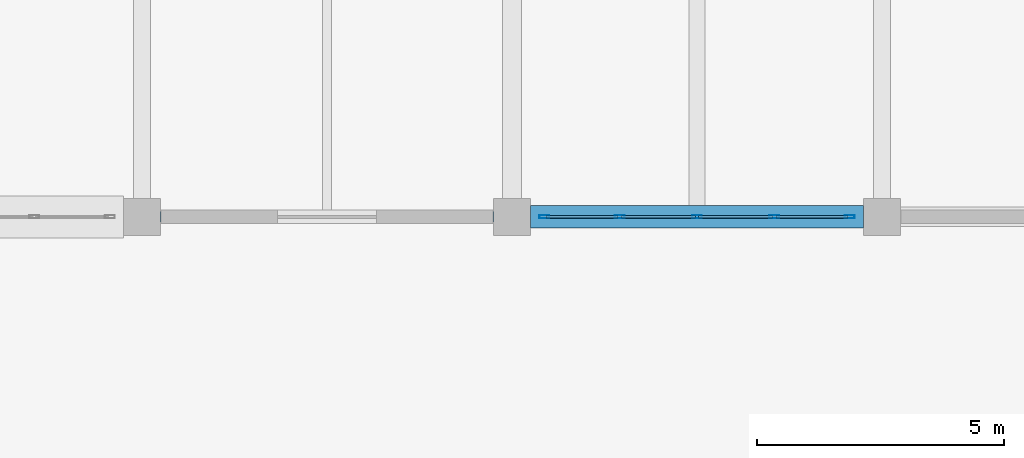
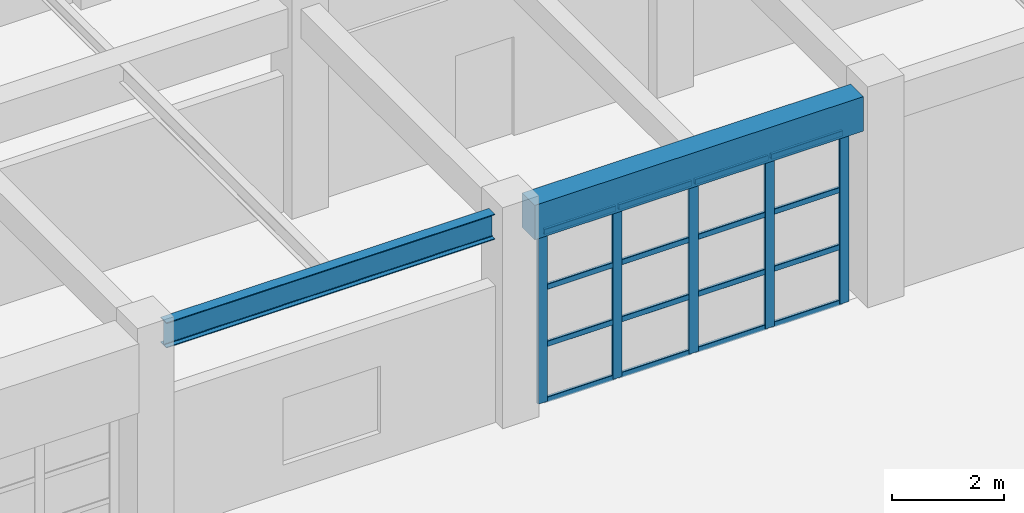
# One storey, part 32 of 122: 21 members, 2 beams, 1 element without a shape of its own.
"""IFC4 building model written with IfcOpenShell, lengths in metres."""

from ifc_helpers import new_model, si_unit, direction, frame, origin, origin_2d, place, context, subcontext, project, spatial, rectangle, hollow_rectangle, i_section, extrude, material, material_profile, profile_set, type_object, element, aggregate, save


model = new_model("IFC4")

# Units and contexts
model_context = context("Model", 3, precision=1e-05, world=origin(), true_north=direction((0.0, 1.0)))
body_context = subcontext(model_context, "Body", "Model", "MODEL_VIEW")
ifc_project = project(units=[si_unit("LENGTHUNIT", "METRE"), si_unit("AREAUNIT", "SQUARE_METRE"), si_unit("VOLUMEUNIT", "CUBIC_METRE"), si_unit("PLANEANGLEUNIT", "RADIAN"), si_unit("MASSUNIT", "GRAM", prefix="KILO")], contexts=[model_context])

# Site, building, storey
site_placement = place(None, origin())
site = spatial("IfcSite", under=ifc_project, at=site_placement, CompositionType="ELEMENT")
building_placement = place(site_placement, origin())
building = spatial("IfcBuilding", under=site, at=building_placement, Name="Qasida Concert Hall", CompositionType="ELEMENT")
storey_placement = place(building_placement, origin())
storey = spatial("IfcBuildingStorey", under=building, at=storey_placement, Name="L00", CompositionType="ELEMENT", Elevation=0.0)

# Beams
ifc_material_1 = material(Name="Steel S355J2", Category="steel")
ifc_material_profile_1 = material_profile(ifc_material_1, i_section(OverallWidth=0.2099609375, OverallDepth=0.550048828125, WebThickness=0.010986328125, FlangeThickness=0.01708984375, FilletRadius=0.02392578125, at=origin_2d()), Name="IPE 550")
ifc_profile_set_1 = profile_set([ifc_material_profile_1], Name="Steel S355J2")
beam_type_1 = type_object("IfcBeamType", Name="BM-SP2", PredefinedType="SPANDREL", material=ifc_profile_set_1)
beam_1_placement = place(storey_placement, frame((15.375, 75.0, 4.22509765625), z_axis=(1.0, 0.0, 0.0), x_axis=(0.0, 1.0, 0.0)))
element("IfcBeam", 1, at=beam_1_placement, inside=storey, type_object=beam_type_1, Name="Primary girder 0689", PredefinedType="SPANDREL", context=body_context, shape_type="SweptSolid", body=[
    extrude(i_section(OverallWidth=0.2099609375, OverallDepth=0.550048828125, WebThickness=0.010986328125, FlangeThickness=0.01708984375, FilletRadius=0.02392578125, at=origin_2d()), origin(), (0.0, 0.0, 1.0), 6.75),
])
ifc_material_2 = material(Name="Concrete C40/50", Category="concrete")
ifc_material_profile_2 = material_profile(ifc_material_2, rectangle(XDim=0.449951171875, YDim=0.75, at=origin_2d()), Name="RC 450x750")
ifc_profile_set_2 = profile_set([ifc_material_profile_2], Name="Concrete C40/50")
beam_type_2 = type_object("IfcBeamType", Name="BM-SP4", PredefinedType="SPANDREL", material=ifc_profile_set_2)
beam_2_placement = place(storey_placement, frame((22.875, 75.0, 4.125), z_axis=(1.0, 0.0, 0.0), x_axis=(0.0, 1.0, 0.0)))
element("IfcBeam", 2, at=beam_2_placement, inside=storey, type_object=beam_type_2, Name="Primary girder 0690", PredefinedType="SPANDREL", context=body_context, shape_type="SweptSolid", body=[
    extrude(rectangle(XDim=0.449951171875, YDim=0.75, at=origin_2d()), origin(), (0.0, 0.0, 1.0), 6.75),
])

# Curtain wall, members
ifc_material_3 = material(Name="Architectural bronze-anodized aluminium and low-E glass", Category="aluminium")
curtain_wall_type = type_object("IfcCurtainWallType", Name="CW-08", PredefinedType="NOTDEFINED", material=ifc_material_3)
curtain_wall_placement = place(storey_placement, origin())
curtain_wall = element("IfcCurtainWall", 3, at=curtain_wall_placement, inside=storey, type_object=curtain_wall_type, Name="L00 curtain wall CW-08 0181", PredefinedType="NOTDEFINED")
ifc_material_4 = material(Name="Architectural bronze-anodized aluminium EN AW-6063", Category="aluminium")
ifc_material_profile_3 = material_profile(ifc_material_4, hollow_rectangle(XDim=0.06494140625, YDim=0.199951171875, WallThickness=0.0048828125, InnerFilletRadius=0.0048828125, OuterFilletRadius=0.010009765625, at=origin_2d()), Name="CWM 200x65x5")
ifc_profile_set_3 = profile_set([ifc_material_profile_3], Name="Architectural bronze-anodized aluminium EN AW-6063")
member_type_1 = type_object("IfcMemberType", Name="MB-CWM-2", PredefinedType="MULLION", material=ifc_profile_set_3)
member_1_placement = place(storey_placement, frame((23.152587890625, 75.0, 0.0), z_axis=(0.0, 0.0, 1.0), x_axis=(0.0, 1.0, 0.0)))
member_1 = element("IfcMember", 4, at=member_1_placement, type_object=member_type_1, Name="CW-08 mullion 1", PredefinedType="MULLION", context=body_context, shape_type="SweptSolid", body=[
    extrude(hollow_rectangle(XDim=0.06494140625, YDim=0.199951171875, WallThickness=0.0048828125, InnerFilletRadius=0.0048828125, OuterFilletRadius=0.010009765625, at=origin_2d()), origin(), (0.0, 0.0, 1.0), 3.719970703125),
])
member_2_placement = place(storey_placement, frame((24.68505859375, 75.0, 0.0), z_axis=(0.0, 0.0, 1.0), x_axis=(0.0, 1.0, 0.0)))
member_2 = element("IfcMember", 5, at=member_2_placement, type_object=member_type_1, Name="CW-08 mullion 2", PredefinedType="MULLION", context=body_context, shape_type="SweptSolid", body=[
    extrude(hollow_rectangle(XDim=0.06494140625, YDim=0.199951171875, WallThickness=0.0048828125, InnerFilletRadius=0.0048828125, OuterFilletRadius=0.010009765625, at=origin_2d()), origin(), (0.0, 0.0, 1.0), 3.719970703125),
])
member_3_placement = place(storey_placement, frame((26.25, 75.0, 0.0), z_axis=(0.0, 0.0, 1.0), x_axis=(0.0, 1.0, 0.0)))
member_3 = element("IfcMember", 6, at=member_3_placement, type_object=member_type_1, Name="CW-08 mullion 3", PredefinedType="MULLION", context=body_context, shape_type="SweptSolid", body=[
    extrude(hollow_rectangle(XDim=0.06494140625, YDim=0.199951171875, WallThickness=0.0048828125, InnerFilletRadius=0.0048828125, OuterFilletRadius=0.010009765625, at=origin_2d()), origin(), (0.0, 0.0, 1.0), 3.719970703125),
])
member_4_placement = place(storey_placement, frame((27.81494140625, 75.0, 0.0), z_axis=(0.0, 0.0, 1.0), x_axis=(0.0, 1.0, 0.0)))
member_4 = element("IfcMember", 7, at=member_4_placement, type_object=member_type_1, Name="CW-08 mullion 4", PredefinedType="MULLION", context=body_context, shape_type="SweptSolid", body=[
    extrude(hollow_rectangle(XDim=0.06494140625, YDim=0.199951171875, WallThickness=0.0048828125, InnerFilletRadius=0.0048828125, OuterFilletRadius=0.010009765625, at=origin_2d()), origin(), (0.0, 0.0, 1.0), 3.719970703125),
])
member_5_placement = place(storey_placement, frame((29.347412109375, 75.0, 0.0), z_axis=(0.0, 0.0, 1.0), x_axis=(0.0, 1.0, 0.0)))
member_5 = element("IfcMember", 8, at=member_5_placement, type_object=member_type_1, Name="CW-08 mullion 5", PredefinedType="MULLION", context=body_context, shape_type="SweptSolid", body=[
    extrude(hollow_rectangle(XDim=0.06494140625, YDim=0.199951171875, WallThickness=0.0048828125, InnerFilletRadius=0.0048828125, OuterFilletRadius=0.010009765625, at=origin_2d()), origin(), (0.0, 0.0, 1.0), 3.719970703125),
])
ifc_material_profile_4 = material_profile(ifc_material_4, hollow_rectangle(XDim=0.06005859375, YDim=0.1201171875, WallThickness=0.00390625, InnerFilletRadius=0.00390625, OuterFilletRadius=0.008056640625, at=origin_2d()), Name="CWT 120x60x4")
ifc_profile_set_4 = profile_set([ifc_material_profile_4], Name="Architectural bronze-anodized aluminium EN AW-6063")
member_type_2 = type_object("IfcMemberType", Name="MB-CWT-2", PredefinedType="USERDEFINED", material=ifc_profile_set_4)
member_6_placement = place(storey_placement, frame((23.18505859375, 75.0, 0.030029296875), z_axis=(1.0, 0.0, 0.0), x_axis=(0.0, 1.0, 0.0)))
member_6 = element("IfcMember", 9, at=member_6_placement, type_object=member_type_2, Name="CW-08 transom 1.1", ObjectType="TRANSOM", PredefinedType="USERDEFINED", context=body_context, shape_type="SweptSolid", body=[
    extrude(hollow_rectangle(XDim=0.06005859375, YDim=0.1201171875, WallThickness=0.00390625, InnerFilletRadius=0.00390625, OuterFilletRadius=0.008056640625, at=origin_2d()), origin(), (0.0, 0.0, 1.0), 1.467529296875),
])
member_7_placement = place(storey_placement, frame((23.18505859375, 75.0, 1.239990234375), z_axis=(1.0, 0.0, 0.0), x_axis=(0.0, 1.0, 0.0)))
member_7 = element("IfcMember", 10, at=member_7_placement, type_object=member_type_2, Name="CW-08 transom 1.2", ObjectType="TRANSOM", PredefinedType="USERDEFINED", context=body_context, shape_type="SweptSolid", body=[
    extrude(hollow_rectangle(XDim=0.06005859375, YDim=0.1201171875, WallThickness=0.00390625, InnerFilletRadius=0.00390625, OuterFilletRadius=0.008056640625, at=origin_2d()), origin(), (0.0, 0.0, 1.0), 1.467529296875),
])
member_8_placement = place(storey_placement, frame((23.18505859375, 75.0, 2.47998046875), z_axis=(1.0, 0.0, 0.0), x_axis=(0.0, 1.0, 0.0)))
member_8 = element("IfcMember", 11, at=member_8_placement, type_object=member_type_2, Name="CW-08 transom 1.3", ObjectType="TRANSOM", PredefinedType="USERDEFINED", context=body_context, shape_type="SweptSolid", body=[
    extrude(hollow_rectangle(XDim=0.06005859375, YDim=0.1201171875, WallThickness=0.00390625, InnerFilletRadius=0.00390625, OuterFilletRadius=0.008056640625, at=origin_2d()), origin(), (0.0, 0.0, 1.0), 1.467529296875),
])
member_9_placement = place(storey_placement, frame((23.18505859375, 75.0, 3.68994140625), z_axis=(1.0, 0.0, 0.0), x_axis=(0.0, 1.0, 0.0)))
member_9 = element("IfcMember", 12, at=member_9_placement, type_object=member_type_2, Name="CW-08 transom 1.4", ObjectType="TRANSOM", PredefinedType="USERDEFINED", context=body_context, shape_type="SweptSolid", body=[
    extrude(hollow_rectangle(XDim=0.06005859375, YDim=0.1201171875, WallThickness=0.00390625, InnerFilletRadius=0.00390625, OuterFilletRadius=0.008056640625, at=origin_2d()), origin(), (0.0, 0.0, 1.0), 1.467529296875),
])
member_10_placement = place(storey_placement, frame((24.717529296875, 75.0, 0.030029296875), z_axis=(1.0, 0.0, 0.0), x_axis=(0.0, 1.0, 0.0)))
member_10 = element("IfcMember", 13, at=member_10_placement, type_object=member_type_2, Name="CW-08 transom 2.1", ObjectType="TRANSOM", PredefinedType="USERDEFINED", context=body_context, shape_type="SweptSolid", body=[
    extrude(hollow_rectangle(XDim=0.06005859375, YDim=0.1201171875, WallThickness=0.00390625, InnerFilletRadius=0.00390625, OuterFilletRadius=0.008056640625, at=origin_2d()), origin(), (0.0, 0.0, 1.0), 1.5),
])
member_11_placement = place(storey_placement, frame((24.717529296875, 75.0, 1.239990234375), z_axis=(1.0, 0.0, 0.0), x_axis=(0.0, 1.0, 0.0)))
member_11 = element("IfcMember", 14, at=member_11_placement, type_object=member_type_2, Name="CW-08 transom 2.2", ObjectType="TRANSOM", PredefinedType="USERDEFINED", context=body_context, shape_type="SweptSolid", body=[
    extrude(hollow_rectangle(XDim=0.06005859375, YDim=0.1201171875, WallThickness=0.00390625, InnerFilletRadius=0.00390625, OuterFilletRadius=0.008056640625, at=origin_2d()), origin(), (0.0, 0.0, 1.0), 1.5),
])
member_12_placement = place(storey_placement, frame((24.717529296875, 75.0, 2.47998046875), z_axis=(1.0, 0.0, 0.0), x_axis=(0.0, 1.0, 0.0)))
member_12 = element("IfcMember", 15, at=member_12_placement, type_object=member_type_2, Name="CW-08 transom 2.3", ObjectType="TRANSOM", PredefinedType="USERDEFINED", context=body_context, shape_type="SweptSolid", body=[
    extrude(hollow_rectangle(XDim=0.06005859375, YDim=0.1201171875, WallThickness=0.00390625, InnerFilletRadius=0.00390625, OuterFilletRadius=0.008056640625, at=origin_2d()), origin(), (0.0, 0.0, 1.0), 1.5),
])
member_13_placement = place(storey_placement, frame((24.717529296875, 75.0, 3.68994140625), z_axis=(1.0, 0.0, 0.0), x_axis=(0.0, 1.0, 0.0)))
member_13 = element("IfcMember", 16, at=member_13_placement, type_object=member_type_2, Name="CW-08 transom 2.4", ObjectType="TRANSOM", PredefinedType="USERDEFINED", context=body_context, shape_type="SweptSolid", body=[
    extrude(hollow_rectangle(XDim=0.06005859375, YDim=0.1201171875, WallThickness=0.00390625, InnerFilletRadius=0.00390625, OuterFilletRadius=0.008056640625, at=origin_2d()), origin(), (0.0, 0.0, 1.0), 1.5),
])
member_14_placement = place(storey_placement, frame((26.282470703125, 75.0, 0.030029296875), z_axis=(1.0, 0.0, 0.0), x_axis=(0.0, 1.0, 0.0)))
member_14 = element("IfcMember", 17, at=member_14_placement, type_object=member_type_2, Name="CW-08 transom 3.1", ObjectType="TRANSOM", PredefinedType="USERDEFINED", context=body_context, shape_type="SweptSolid", body=[
    extrude(hollow_rectangle(XDim=0.06005859375, YDim=0.1201171875, WallThickness=0.00390625, InnerFilletRadius=0.00390625, OuterFilletRadius=0.008056640625, at=origin_2d()), origin(), (0.0, 0.0, 1.0), 1.5),
])
member_15_placement = place(storey_placement, frame((26.282470703125, 75.0, 1.239990234375), z_axis=(1.0, 0.0, 0.0), x_axis=(0.0, 1.0, 0.0)))
member_15 = element("IfcMember", 18, at=member_15_placement, type_object=member_type_2, Name="CW-08 transom 3.2", ObjectType="TRANSOM", PredefinedType="USERDEFINED", context=body_context, shape_type="SweptSolid", body=[
    extrude(hollow_rectangle(XDim=0.06005859375, YDim=0.1201171875, WallThickness=0.00390625, InnerFilletRadius=0.00390625, OuterFilletRadius=0.008056640625, at=origin_2d()), origin(), (0.0, 0.0, 1.0), 1.5),
])
member_16_placement = place(storey_placement, frame((26.282470703125, 75.0, 2.47998046875), z_axis=(1.0, 0.0, 0.0), x_axis=(0.0, 1.0, 0.0)))
member_16 = element("IfcMember", 19, at=member_16_placement, type_object=member_type_2, Name="CW-08 transom 3.3", ObjectType="TRANSOM", PredefinedType="USERDEFINED", context=body_context, shape_type="SweptSolid", body=[
    extrude(hollow_rectangle(XDim=0.06005859375, YDim=0.1201171875, WallThickness=0.00390625, InnerFilletRadius=0.00390625, OuterFilletRadius=0.008056640625, at=origin_2d()), origin(), (0.0, 0.0, 1.0), 1.5),
])
member_17_placement = place(storey_placement, frame((26.282470703125, 75.0, 3.68994140625), z_axis=(1.0, 0.0, 0.0), x_axis=(0.0, 1.0, 0.0)))
member_17 = element("IfcMember", 20, at=member_17_placement, type_object=member_type_2, Name="CW-08 transom 3.4", ObjectType="TRANSOM", PredefinedType="USERDEFINED", context=body_context, shape_type="SweptSolid", body=[
    extrude(hollow_rectangle(XDim=0.06005859375, YDim=0.1201171875, WallThickness=0.00390625, InnerFilletRadius=0.00390625, OuterFilletRadius=0.008056640625, at=origin_2d()), origin(), (0.0, 0.0, 1.0), 1.5),
])
member_18_placement = place(storey_placement, frame((27.847412109375, 75.0, 0.030029296875), z_axis=(1.0, 0.0, 0.0), x_axis=(0.0, 1.0, 0.0)))
member_18 = element("IfcMember", 21, at=member_18_placement, type_object=member_type_2, Name="CW-08 transom 4.1", ObjectType="TRANSOM", PredefinedType="USERDEFINED", context=body_context, shape_type="SweptSolid", body=[
    extrude(hollow_rectangle(XDim=0.06005859375, YDim=0.1201171875, WallThickness=0.00390625, InnerFilletRadius=0.00390625, OuterFilletRadius=0.008056640625, at=origin_2d()), origin(), (0.0, 0.0, 1.0), 1.467529296875),
])
member_19_placement = place(storey_placement, frame((27.847412109375, 75.0, 1.239990234375), z_axis=(1.0, 0.0, 0.0), x_axis=(0.0, 1.0, 0.0)))
member_19 = element("IfcMember", 22, at=member_19_placement, type_object=member_type_2, Name="CW-08 transom 4.2", ObjectType="TRANSOM", PredefinedType="USERDEFINED", context=body_context, shape_type="SweptSolid", body=[
    extrude(hollow_rectangle(XDim=0.06005859375, YDim=0.1201171875, WallThickness=0.00390625, InnerFilletRadius=0.00390625, OuterFilletRadius=0.008056640625, at=origin_2d()), origin(), (0.0, 0.0, 1.0), 1.467529296875),
])
member_20_placement = place(storey_placement, frame((27.847412109375, 75.0, 2.47998046875), z_axis=(1.0, 0.0, 0.0), x_axis=(0.0, 1.0, 0.0)))
member_20 = element("IfcMember", 23, at=member_20_placement, type_object=member_type_2, Name="CW-08 transom 4.3", ObjectType="TRANSOM", PredefinedType="USERDEFINED", context=body_context, shape_type="SweptSolid", body=[
    extrude(hollow_rectangle(XDim=0.06005859375, YDim=0.1201171875, WallThickness=0.00390625, InnerFilletRadius=0.00390625, OuterFilletRadius=0.008056640625, at=origin_2d()), origin(), (0.0, 0.0, 1.0), 1.467529296875),
])
member_21_placement = place(storey_placement, frame((27.847412109375, 75.0, 3.68994140625), z_axis=(1.0, 0.0, 0.0), x_axis=(0.0, 1.0, 0.0)))
member_21 = element("IfcMember", 24, at=member_21_placement, type_object=member_type_2, Name="CW-08 transom 4.4", ObjectType="TRANSOM", PredefinedType="USERDEFINED", context=body_context, shape_type="SweptSolid", body=[
    extrude(hollow_rectangle(XDim=0.06005859375, YDim=0.1201171875, WallThickness=0.00390625, InnerFilletRadius=0.00390625, OuterFilletRadius=0.008056640625, at=origin_2d()), origin(), (0.0, 0.0, 1.0), 1.467529296875),
])
aggregate(curtain_wall, [member_1, member_2, member_3, member_4, member_5, member_6, member_7, member_8, member_9, member_10, member_11, member_12, member_13, member_14, member_15, member_16, member_17, member_18, member_19, member_20, member_21])

save(model, "model.ifc")
